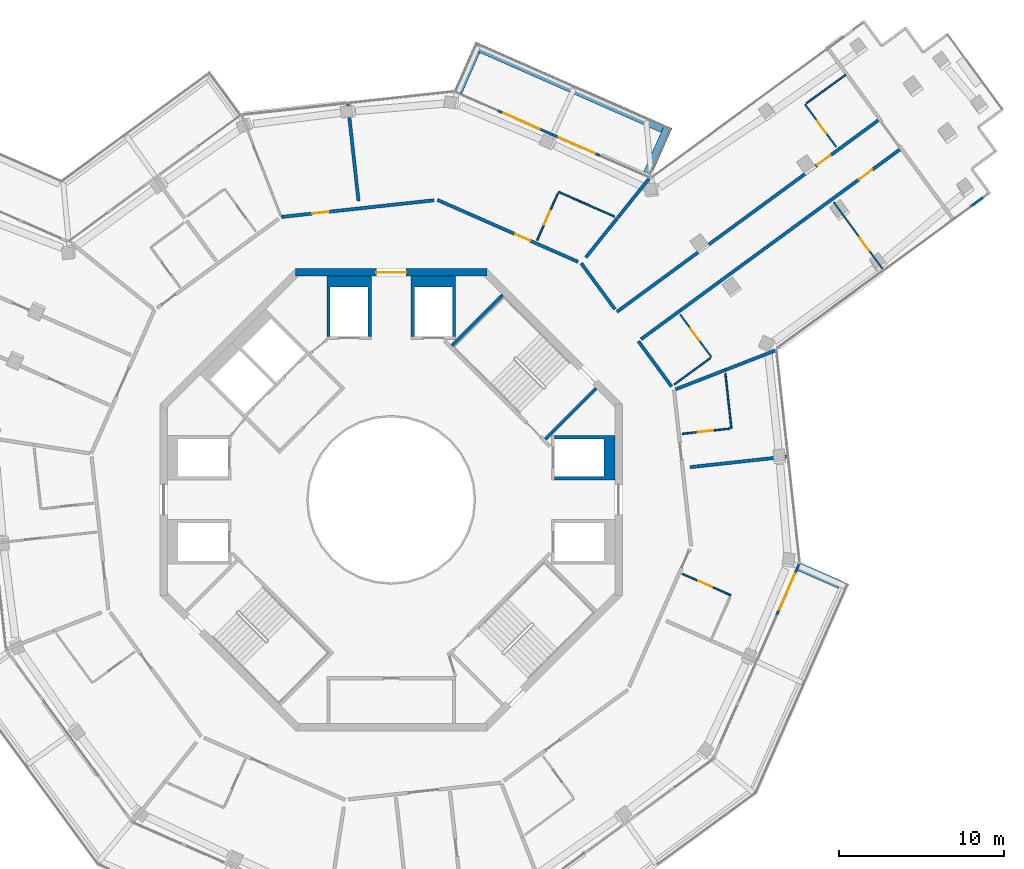
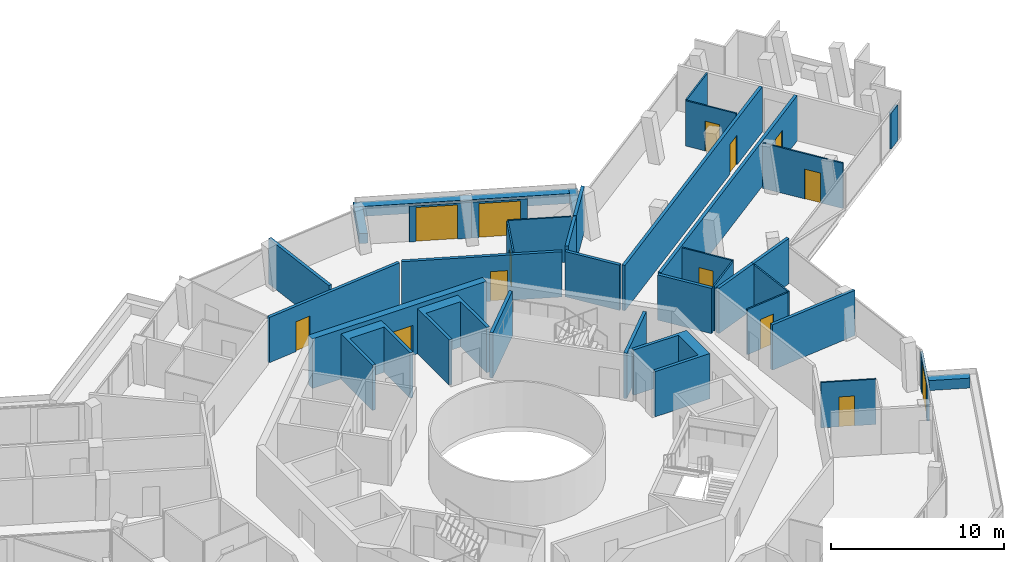
# One storey, part 20 of 24: 36 walls, 14 doors, 14 openings.
"""IFC4 building model written with IfcOpenShell, lengths in metres."""

import ifcopenshell
import ifcopenshell.guid

model = None  # the IFC model being written
_history = None  # IfcOwnerHistory: only IFC2X3 demands one
_inside = {}  # id of a spatial element -> (the spatial element, [elements in it])
_under = {}  # id of a project, library or spatial element -> (it, [spatial elements below it])
_declared = {}  # id of a project -> (the project, [libraries it declares])
_typed = {}  # id of a type object -> (the type object, [elements of that type])
_made_of = {}  # id of a material, layer set ... -> (it, [elements and type objects made of it])


def new_model(schema):
    """Start an empty IFC model of exactly this schema.

    Asked for "IFC4X3", IfcOpenShell would pick the latest addendum, in which some entities
    have other attributes; the version numbers below select the first issue.
    IFC2X3 requires an IfcOwnerHistory on every rooted entity: one is made here for all.
    """
    global model, _history
    if schema == "IFC4X3":
        model = ifcopenshell.file(schema_version=(4, 3, 0, 0))
    else:
        model = ifcopenshell.file(schema=schema)
    _inside.clear()
    _under.clear()
    _declared.clear()
    _typed.clear()
    _made_of.clear()
    _history = None
    if model.schema == "IFC2X3":
        org = make("IfcOrganization", Name="unknown")
        user = make(
            "IfcPersonAndOrganization",
            ThePerson=make("IfcPerson", FamilyName="unknown"),
            TheOrganization=org,
        )
        app = make(
            "IfcApplication",
            ApplicationDeveloper=org,
            Version="unknown",
            ApplicationFullName="unknown",
            ApplicationIdentifier="unknown",
        )
        _history = make(
            "IfcOwnerHistory",
            OwningUser=user,
            OwningApplication=app,
            ChangeAction="ADDED",
            CreationDate=0,
        )
    return model


def make(cls, **values):
    """One entity of the class cls with the attributes given. An attribute that is None is left unset."""
    return model.create_entity(
        cls, **{name: value for name, value in values.items() if value is not None}
    )


def rooted(cls, **values):
    """An entity with a GlobalId (a new one), such as an element, a storey or a relation."""
    return make(cls, GlobalId=ifcopenshell.guid.new(), OwnerHistory=_history, **values)


def si_unit(unit_type, name, prefix=None):
    """IfcSIUnit, for example si_unit("LENGTHUNIT", "METRE", prefix="MILLI")."""
    return make("IfcSIUnit", UnitType=unit_type, Prefix=prefix, Name=name)


def assignment(units):
    """IfcUnitAssignment: the units of a project."""
    return None if units is None else make("IfcUnitAssignment", Units=units)


def point(xyz):
    """IfcCartesianPoint."""
    return None if xyz is None else make("IfcCartesianPoint", Coordinates=xyz)


def direction(xyz):
    """IfcDirection."""
    return None if xyz is None else make("IfcDirection", DirectionRatios=xyz)


def frame(location, z_axis=None, x_axis=None):
    """IfcAxis2Placement3D, a coordinate frame: its origin and axes. An axis left out is left unset."""
    return make(
        "IfcAxis2Placement3D",
        Location=point(location),
        Axis=direction(z_axis),
        RefDirection=direction(x_axis),
    )


def frame_2d(location, x_axis=None):
    """IfcAxis2Placement2D, a coordinate frame in the plane: its origin and x axis."""
    return make(
        "IfcAxis2Placement2D", Location=point(location), RefDirection=direction(x_axis)
    )


def origin():
    """The frame at (0, 0, 0) with its axes left unset."""
    return frame((0.0, 0.0, 0.0))


def place(relative_to, where):
    """IfcLocalPlacement: puts the frame where relative to a parent placement (None: the world)."""
    return make(
        "IfcLocalPlacement", PlacementRelTo=relative_to, RelativePlacement=where
    )


def context(
    kind, dimensions, precision=None, world=None, true_north=None, identifier=None
):
    """IfcGeometricRepresentationContext, for example the 3D "Model" context."""
    return make(
        "IfcGeometricRepresentationContext",
        ContextIdentifier=identifier,
        ContextType=kind,
        CoordinateSpaceDimension=dimensions,
        Precision=precision,
        WorldCoordinateSystem=world,
        TrueNorth=true_north,
    )


def subcontext(parent, identifier, kind, view, scale=None):
    """IfcGeometricRepresentationSubContext, for example "Body" below "Model"."""
    return make(
        "IfcGeometricRepresentationSubContext",
        ContextIdentifier=identifier,
        ContextType=kind,
        ParentContext=parent,
        TargetScale=scale,
        TargetView=view,
    )


def project(units=None, contexts=None):
    """IfcProject with its units and contexts."""
    return rooted(
        "IfcProject",
        Name="project",
        RepresentationContexts=contexts,
        UnitsInContext=assignment(units),
    )


def spatial(cls, under=None, at=None, **own):
    """A site, building, storey or space (cls), placed at a placement, below another one or the project."""
    s = rooted(cls, ObjectPlacement=at, **own)
    if under is not None:
        _under.setdefault(under.id(), (under, []))[1].append(s)
    return s


def polyline(points):
    """IfcPolyline through the points."""
    return make("IfcPolyline", Points=[point(p) for p in points])


def profile(cls, at=None, kind="AREA", **sizes):
    """A parametric profile (cls). Its sizes go by their IFC names, for example OverallWidth=200.0."""
    return make(cls, ProfileType=kind, Position=at, **sizes)


def rectangle(**sizes):
    """IfcRectangleProfileDef."""
    return profile("IfcRectangleProfileDef", **sizes)


def outline(outer, holes=None, kind="AREA"):
    """IfcArbitraryClosedProfileDef: a profile drawn as a closed curve; with holes, ...WithVoids."""
    if holes is None:
        return make("IfcArbitraryClosedProfileDef", ProfileType=kind, OuterCurve=outer)
    return make(
        "IfcArbitraryProfileDefWithVoids",
        ProfileType=kind,
        OuterCurve=outer,
        InnerCurves=holes,
    )


def extrude(swept, where, along, depth):
    """IfcExtrudedAreaSolid: the profile swept, set in the frame where, extruded along a direction by depth."""
    return make(
        "IfcExtrudedAreaSolid",
        SweptArea=swept,
        Position=where,
        ExtrudedDirection=direction(along),
        Depth=depth,
    )


def shape(context_of_items, identifier, shape_type, items):
    """IfcShapeRepresentation: the items that make up one representation, for example the "Body"."""
    return make(
        "IfcShapeRepresentation",
        ContextOfItems=context_of_items,
        RepresentationIdentifier=identifier,
        RepresentationType=shape_type,
        Items=items,
    )


def material(Name=None, Category=None):
    """IfcMaterial."""
    return make("IfcMaterial", Name=Name, Category=Category)


def layer(
    of_material, thickness, ventilated=None, Name=None, Category=None, Priority=None
):
    """IfcMaterialLayer: one layer of a wall or slab, of a material (None: an air gap)."""
    return make(
        "IfcMaterialLayer",
        Material=of_material,
        LayerThickness=thickness,
        IsVentilated=ventilated,
        Name=Name,
        Category=Category,
        Priority=Priority,
    )


def layer_set(layers, Name=None):
    """IfcMaterialLayerSet."""
    return make("IfcMaterialLayerSet", MaterialLayers=layers, LayerSetName=Name)


def made_of(thing, what):
    """Note that an element or type object is made of a material, layer set ...; save() writes the relation."""
    if what is not None:
        _made_of.setdefault(what.id(), (what, []))[1].append(thing)
    return thing


def type_object(cls, material=None, **own):
    """A type object (cls), such as IfcWallType, which elements share."""
    return made_of(rooted(cls, **own), material)


def element(
    cls,
    number,
    at=None,
    inside=None,
    cuts=None,
    type_object=None,
    material=None,
    context=None,
    identifier="Body",
    shape_type=None,
    held_by="IfcProductDefinitionShape",
    body=None,
    shapes=None,
    **own,
):
    """One element of the class cls, such as IfcWall. Its Tag is "e" and its number.

    at: its placement. inside: the storey or other place that contains it. cuts: it is an
    opening in that element (IfcRelVoidsElement). A single representation is given by context,
    identifier, shape_type and body (its items); several are given by shapes. held_by: the class
    of the entity that holds the representations. save() writes the other relations.
    """
    e = rooted(cls, Tag="e%d" % number, ObjectPlacement=at, **own)
    if body is not None:
        shapes = [shape(context, identifier, shape_type, body)]
    if shapes is not None:
        e.Representation = make(held_by, Representations=shapes)
    if inside is not None:
        _inside.setdefault(inside.id(), (inside, []))[1].append(e)
    if cuts is not None:
        rooted(
            "IfcRelVoidsElement", RelatingBuildingElement=cuts, RelatedOpeningElement=e
        )
    if type_object is not None:
        _typed.setdefault(type_object.id(), (type_object, []))[1].append(e)
    return made_of(e, material)


def fill(opening, filler):
    """IfcRelFillsElement: the door or window that sits in an opening."""
    return rooted(
        "IfcRelFillsElement",
        RelatingOpeningElement=opening,
        RelatedBuildingElement=filler,
    )


def aggregate(whole, parts):
    """IfcRelAggregates: a whole, such as a stair, and the parts it consists of."""
    return rooted("IfcRelAggregates", RelatingObject=whole, RelatedObjects=parts)


def save(model, path):
    """Write the relations noted so far, then the file.

    IfcRelAggregates (storeys below a building ...), IfcRelContainedInSpatialStructure (elements
    in a storey), IfcRelDefinesByType, IfcRelAssociatesMaterial and IfcRelDeclares: one each for
    every whole, place, type object, material and project.
    """
    for whole, parts in _under.values():
        aggregate(whole, parts)
    for where, things in _inside.values():
        rooted(
            "IfcRelContainedInSpatialStructure",
            RelatedElements=things,
            RelatingStructure=where,
        )
    for kind, things in _typed.values():
        rooted("IfcRelDefinesByType", RelatedObjects=things, RelatingType=kind)
    for what, things in _made_of.values():
        rooted("IfcRelAssociatesMaterial", RelatedObjects=things, RelatingMaterial=what)
    for by, libraries in _declared.values():
        rooted("IfcRelDeclares", RelatingContext=by, RelatedDefinitions=libraries)
    model.write(path)


model = new_model("IFC4")

# Units and contexts
model_context = context("Model", 3, precision=1e-05, world=origin(), true_north=direction((0.0, 1.0)))
body_context = subcontext(model_context, "Body", "Model", "MODEL_VIEW")
ifc_project = project(units=[si_unit("LENGTHUNIT", "METRE"), si_unit("AREAUNIT", "SQUARE_METRE"), si_unit("VOLUMEUNIT", "CUBIC_METRE"), si_unit("PLANEANGLEUNIT", "RADIAN"), si_unit("MASSUNIT", "GRAM", prefix="KILO")], contexts=[model_context])

# Site, building, storey
site_placement = place(None, origin())
site = spatial("IfcSite", under=ifc_project, at=site_placement, CompositionType="ELEMENT")
building_placement = place(site_placement, origin())
building = spatial("IfcBuilding", under=site, at=building_placement, Name="Verdalira Terraces Hotel", CompositionType="ELEMENT")
storey_placement = place(building_placement, frame((0.0, 0.0, 303.0)))
storey = spatial("IfcBuildingStorey", under=building, at=storey_placement, Name="L75", CompositionType="ELEMENT", Elevation=303.0)

# Walls
ifc_material_1 = material(Name="Concrete C40", Category="concrete")
ifc_layer_1 = layer(ifc_material_1, 0.5)
ifc_layer_set_1 = layer_set([ifc_layer_1], Name="Balcony planter trough with tree")
wall_type_1 = type_object("IfcWallType", Name="Balcony planter trough with tree", PredefinedType="SOLIDWALL", material=ifc_layer_set_1)
wall_1_placement = place(storey_placement, frame((27.19165, -5.141357, 0.0), z_axis=(0.0, 0.0, 1.0), x_axis=(-0.915260342, 0.402862888, 0.0)))
element("IfcWall", 1, at=wall_1_placement, inside=storey, type_object=wall_type_1, Name="Balcony planter", PredefinedType="SOLIDWALL", context=body_context, shape_type="SweptSolid", body=[
    extrude(rectangle(XDim=2.699219, YDim=0.5, at=frame_2d((1.349609, 0.0))), origin(), (0.0, 0.0, 1.0), 0.699951),
])
wall_2_placement = place(storey_placement, frame((15.494385, 19.685059, 0.0), z_axis=(0.0, 0.0, 1.0), x_axis=(0.402963671, 0.915215974, 0.0)))
element("IfcWall", 2, at=wall_2_placement, inside=storey, type_object=wall_type_1, Name="Balcony planter", PredefinedType="SOLIDWALL", context=body_context, shape_type="SweptSolid", body=[
    extrude(rectangle(XDim=3.198975, YDim=0.5, at=frame_2d((1.599609, 0.0))), origin(), (0.0, 0.0, 1.0), 0.699951),
])
wall_3_placement = place(storey_placement, frame((16.453857, 22.484863, 0.0), z_axis=(0.0, 0.0, 1.0), x_axis=(-0.915245899, 0.402895698, 0.0)))
element("IfcWall", 3, at=wall_3_placement, inside=storey, type_object=wall_type_1, Name="Balcony planter", PredefinedType="SOLIDWALL", context=body_context, shape_type="SweptSolid", body=[
    extrude(rectangle(XDim=12.499756, YDim=0.5, at=frame_2d((6.25, 0.0))), origin(), (0.0, 0.0, 1.0), 0.699951),
])
wall_4_placement = place(storey_placement, frame((5.141357, 27.19165, 0.0), z_axis=(0.0, 0.0, 1.0), x_axis=(-0.402862888, -0.915260342, 0.0)))
element("IfcWall", 4, at=wall_4_placement, inside=storey, type_object=wall_type_1, Name="Balcony planter", PredefinedType="SOLIDWALL", context=body_context, shape_type="SweptSolid", body=[
    extrude(rectangle(XDim=2.699219, YDim=0.5, at=frame_2d((1.349609, 0.0))), origin(), (0.0, 0.0, 1.0), 0.699951),
])

# Wall, opening, door
ifc_material_2 = material(Name="Moisture-resistant gypsum board partition")
ifc_layer_2 = layer(ifc_material_2, 0.10009765625)
ifc_layer_set_2 = layer_set([ifc_layer_2], Name="Bathroom partition 100 mm")
wall_type_2 = type_object("IfcWallType", Name="Bathroom partition 100 mm", PredefinedType="PARTITIONING", material=ifc_layer_set_2)
wall_5_placement = place(storey_placement, frame((10.09375, 18.564941, 0.0), z_axis=(0.0, 0.0, 1.0), x_axis=(-0.402920719, -0.915234885, 0.0)))
wall_5 = element("IfcWall", 5, at=wall_5_placement, inside=storey, type_object=wall_type_2, Name="Bathroom partition", PredefinedType="PARTITIONING", context=body_context, shape_type="SweptSolid", body=[
    extrude(rectangle(XDim=3.099854, YDim=0.100098, at=frame_2d((1.549805, 0.0))), origin(), (0.0, 0.0, 1.0), 3.189941),
])
opening_1_placement = place(wall_5_placement, frame((1.149902, 0.0, 0.0)))
opening_1 = element("IfcOpeningElement", 6, at=opening_1_placement, cuts=wall_5, Name="Opening L75-128", PredefinedType="OPENING", context=body_context, shape_type="SweptSolid", body=[
    extrude(rectangle(XDim=0.899902, YDim=2.100098, at=frame_2d((0.449951, 1.050049))), frame((0.0, 0.060059, 0.0), z_axis=(0.0, -1.0, 0.0), x_axis=(1.0, 0.0, 0.0)), (0.0, 0.0, 1.0), 0.120117),
])
ifc_material_3 = material(Name="Timber door", Category="wood")
door_type_1 = type_object("IfcDoorType", Name="Bathroom door 900 x 2100", OperationType="NOTDEFINED", PredefinedType="DOOR", material=ifc_material_3)
door_1_placement = place(opening_1_placement, origin())
door_1 = element("IfcDoor", 7, at=door_1_placement, inside=storey, type_object=door_type_1, Name="Bathroom door 7511", OperationType="SINGLE_SWING_LEFT", OverallHeight=2.10009765625, OverallWidth=0.89990234375, PredefinedType="DOOR", context=body_context, shape_type="SweptSolid", body=[
    extrude(rectangle(XDim=0.899902, YDim=2.100098, at=frame_2d((0.449951, 1.050049))), frame((0.0, 0.024902, 0.0), z_axis=(0.0, -1.0, 0.0), x_axis=(1.0, 0.0, 0.0)), (0.0, 0.0, 1.0), 0.050049),
])
fill(opening_1, door_1)

# Walls
wall_6_placement = place(storey_placement, frame((10.134033, 18.656494, 0.0), z_axis=(0.0, 0.0, 1.0), x_axis=(0.915262542, -0.40285789, 0.0)))
element("IfcWall", 8, at=wall_6_placement, inside=storey, type_object=wall_type_2, Name="Bathroom partition", PredefinedType="PARTITIONING", context=body_context, shape_type="SweptSolid", body=[
    extrude(rectangle(XDim=3.704102, YDim=0.100098, at=frame_2d((1.852051, 0.0))), origin(), (0.0, 0.0, 1.0), 3.189941),
])
wall_7_placement = place(storey_placement, frame((17.144531, 6.986816, 0.0), z_axis=(0.0, 0.0, 1.0), x_axis=(0.806548704, 0.591167648, 0.0)))
element("IfcWall", 9, at=wall_7_placement, inside=storey, type_object=wall_type_2, Name="Bathroom partition", PredefinedType="PARTITIONING", context=body_context, shape_type="SweptSolid", body=[
    extrude(rectangle(XDim=2.699951, YDim=0.100098, at=frame_2d((1.350098, 0.0))), origin(), (0.0, 0.0, 1.0), 3.189941),
])

# Wall, opening, door
wall_8_placement = place(storey_placement, frame((19.402832, 8.64209, 0.0), z_axis=(0.0, 0.0, 1.0), x_axis=(-0.591175126, 0.806543223, 0.0)))
wall_8 = element("IfcWall", 10, at=wall_8_placement, inside=storey, type_object=wall_type_2, Name="Bathroom partition", PredefinedType="PARTITIONING", context=body_context, shape_type="SweptSolid", body=[
    extrude(rectangle(XDim=3.200195, YDim=0.100098, at=frame_2d((1.600098, 0.0))), origin(), (0.0, 0.0, 1.0), 3.189941),
])
opening_2_placement = place(wall_8_placement, frame((1.25, 0.0, 0.0)))
opening_2 = element("IfcOpeningElement", 11, at=opening_2_placement, cuts=wall_8, Name="Opening L75-124", PredefinedType="OPENING", context=body_context, shape_type="SweptSolid", body=[
    extrude(rectangle(XDim=0.899902, YDim=2.100098, at=frame_2d((0.449951, 1.050049))), frame((0.0, 0.060059, 0.0), z_axis=(0.0, -1.0, 0.0), x_axis=(1.0, 0.0, 0.0)), (0.0, 0.0, 1.0), 0.120117),
])
door_2_placement = place(opening_2_placement, origin())
door_2 = element("IfcDoor", 12, at=door_2_placement, inside=storey, type_object=door_type_1, Name="Bathroom door 7509", OperationType="SINGLE_SWING_LEFT", OverallHeight=2.10009765625, OverallWidth=0.89990234375, PredefinedType="DOOR", context=body_context, shape_type="SweptSolid", body=[
    extrude(rectangle(XDim=0.899902, YDim=2.100098, at=frame_2d((0.449951, 1.050049))), frame((0.0, 0.024902, 0.0), z_axis=(0.0, -1.0, 0.0), x_axis=(1.0, 0.0, 0.0)), (0.0, 0.0, 1.0), 0.050049),
])
fill(opening_2, door_2)

wall_9_placement = place(storey_placement, frame((17.628174, 3.998047, 0.0), z_axis=(0.0, 0.0, 1.0), x_axis=(0.99407624, 0.108684995, 0.0)))
wall_9 = element("IfcWall", 13, at=wall_9_placement, inside=storey, type_object=wall_type_2, Name="Bathroom partition", PredefinedType="PARTITIONING", context=body_context, shape_type="SweptSolid", body=[
    extrude(rectangle(XDim=2.899902, YDim=0.100098, at=frame_2d((1.449951, 0.0))), origin(), (0.0, 0.0, 1.0), 3.189941),
])
opening_3_placement = place(wall_9_placement, frame((0.949951, 0.0, 0.0)))
opening_3 = element("IfcOpeningElement", 14, at=opening_3_placement, cuts=wall_9, Name="Opening L75-121", PredefinedType="OPENING", context=body_context, shape_type="SweptSolid", body=[
    extrude(rectangle(XDim=0.899902, YDim=2.100098, at=frame_2d((0.449951, 1.050049))), frame((0.0, 0.060059, 0.0), z_axis=(0.0, -1.0, 0.0), x_axis=(1.0, 0.0, 0.0)), (0.0, 0.0, 1.0), 0.120117),
])
door_3_placement = place(opening_3_placement, origin())
door_3 = element("IfcDoor", 15, at=door_3_placement, inside=storey, type_object=door_type_1, Name="Bathroom door 7508", OperationType="SINGLE_SWING_RIGHT", OverallHeight=2.10009765625, OverallWidth=0.89990234375, PredefinedType="DOOR", context=body_context, shape_type="SweptSolid", body=[
    extrude(rectangle(XDim=0.899902, YDim=2.100098, at=frame_2d((0.449951, 1.050049))), frame((0.0, 0.024902, 0.0), z_axis=(0.0, -1.0, 0.0), x_axis=(1.0, 0.0, 0.0)), (0.0, 0.0, 1.0), 0.050049),
])
fill(opening_3, door_3)

wall_10_placement = place(storey_placement, frame((20.57373, -5.779053, 0.0), z_axis=(0.0, 0.0, 1.0), x_axis=(-0.915237391, 0.402915027, 0.0)))
wall_10 = element("IfcWall", 16, at=wall_10_placement, inside=storey, type_object=wall_type_2, Name="Bathroom partition", PredefinedType="PARTITIONING", context=body_context, shape_type="SweptSolid", body=[
    extrude(rectangle(XDim=3.199951, YDim=0.100098, at=frame_2d((1.600098, 0.0))), origin(), (0.0, 0.0, 1.0), 3.189941),
])
opening_4_placement = place(wall_10_placement, frame((1.25, 0.0, 0.0)))
opening_4 = element("IfcOpeningElement", 17, at=opening_4_placement, cuts=wall_10, Name="Opening L75-119", PredefinedType="OPENING", context=body_context, shape_type="SweptSolid", body=[
    extrude(rectangle(XDim=0.899902, YDim=2.100098, at=frame_2d((0.449951, 1.050049))), frame((0.0, 0.060059, 0.0), z_axis=(0.0, -1.0, 0.0), x_axis=(1.0, 0.0, 0.0)), (0.0, 0.0, 1.0), 0.120117),
])
door_4_placement = place(opening_4_placement, origin())
door_4 = element("IfcDoor", 18, at=door_4_placement, inside=storey, type_object=door_type_1, Name="Bathroom door 7507", OperationType="SINGLE_SWING_LEFT", OverallHeight=2.10009765625, OverallWidth=0.89990234375, PredefinedType="DOOR", context=body_context, shape_type="SweptSolid", body=[
    extrude(rectangle(XDim=0.899902, YDim=2.100098, at=frame_2d((0.449951, 1.050049))), frame((0.0, 0.024902, 0.0), z_axis=(0.0, -1.0, 0.0), x_axis=(1.0, 0.0, 0.0)), (0.0, 0.0, 1.0), 0.050049),
])
fill(opening_4, door_4)

# Wall
wall_11_placement = place(storey_placement, frame((20.246338, 7.654785, 0.0), z_axis=(0.0, 0.0, 1.0), x_axis=(0.108647833, -0.994080303, 0.0)))
element("IfcWall", 19, at=wall_11_placement, inside=storey, type_object=wall_type_2, Name="Bathroom partition", PredefinedType="PARTITIONING", context=body_context, shape_type="SweptSolid", body=[
    extrude(rectangle(XDim=3.350342, YDim=0.100098, at=frame_2d((1.675293, 0.0))), origin(), (0.0, 0.0, 1.0), 3.189941),
])

# Wall, opening, door
wall_12_placement = place(storey_placement, frame((25.071777, 23.956055, 0.0), z_axis=(0.0, 0.0, 1.0), x_axis=(0.591125495, -0.806579599, 0.0)))
wall_12 = element("IfcWall", 20, at=wall_12_placement, inside=storey, type_object=wall_type_2, Name="Bathroom partition", PredefinedType="PARTITIONING", context=body_context, shape_type="SweptSolid", body=[
    extrude(rectangle(XDim=3.199951, YDim=0.100098, at=frame_2d((1.600098, 0.0))), origin(), (0.0, 0.0, 1.0), 3.189941),
])
opening_5_placement = place(wall_12_placement, frame((1.25, 0.0, 0.0)))
opening_5 = element("IfcOpeningElement", 21, at=opening_5_placement, cuts=wall_12, Name="Opening L75-126", PredefinedType="OPENING", context=body_context, shape_type="SweptSolid", body=[
    extrude(rectangle(XDim=0.899902, YDim=2.100098, at=frame_2d((0.449951, 1.050049))), frame((0.0, 0.060059, 0.0), z_axis=(0.0, -1.0, 0.0), x_axis=(1.0, 0.0, 0.0)), (0.0, 0.0, 1.0), 0.120117),
])
door_5_placement = place(opening_5_placement, origin())
door_5 = element("IfcDoor", 22, at=door_5_placement, inside=storey, type_object=door_type_1, Name="Bathroom door 7510", OperationType="SINGLE_SWING_LEFT", OverallHeight=2.10009765625, OverallWidth=0.89990234375, PredefinedType="DOOR", context=body_context, shape_type="SweptSolid", body=[
    extrude(rectangle(XDim=0.899902, YDim=2.100098, at=frame_2d((0.449951, 1.050049))), frame((0.0, 0.024902, 0.0), z_axis=(0.0, -1.0, 0.0), x_axis=(1.0, 0.0, 0.0)), (0.0, 0.0, 1.0), 0.050049),
])
fill(opening_5, door_5)

# Wall
wall_13_placement = place(storey_placement, frame((25.152344, 24.015137, 0.0), z_axis=(0.0, 0.0, 1.0), x_axis=(0.806558087, 0.591154846, 0.0)))
element("IfcWall", 23, at=wall_13_placement, inside=storey, type_object=wall_type_2, Name="Bathroom partition", PredefinedType="PARTITIONING", context=body_context, shape_type="SweptSolid", body=[
    extrude(rectangle(XDim=2.940186, YDim=0.100098, at=frame_2d((1.470215, 0.0))), origin(), (0.0, 0.0, 1.0), 3.189941),
])

# Wall, opening, door
wall_14_placement = place(storey_placement, frame((29.790039, 13.961914, 0.0), z_axis=(0.0, 0.0, 1.0), x_axis=(-0.591168727, 0.806547913, 0.0)))
wall_14 = element("IfcWall", 24, at=wall_14_placement, inside=storey, type_object=wall_type_2, Name="Bathroom partition", PredefinedType="PARTITIONING", context=body_context, shape_type="SweptSolid", body=[
    extrude(rectangle(XDim=5.049805, YDim=0.100098, at=frame_2d((2.524902, 0.0))), origin(), (0.0, 0.0, 1.0), 3.189941),
])
opening_6_placement = place(wall_14_placement, frame((1.399902, 0.0, 0.0)))
opening_6 = element("IfcOpeningElement", 25, at=opening_6_placement, cuts=wall_14, Name="Opening L75-123", PredefinedType="OPENING", context=body_context, shape_type="SweptSolid", body=[
    extrude(rectangle(XDim=1.0, YDim=2.100098, at=frame_2d((0.5, 1.050049))), frame((0.0, 0.060059, 0.0), z_axis=(0.0, -1.0, 0.0), x_axis=(1.0, 0.0, 0.0)), (0.0, 0.0, 1.0), 0.120117),
])
ifc_material_4 = material(Name="Timber door", Category="wood")
door_type_2 = type_object("IfcDoorType", Name="Suite internal door 1000 x 2100", OperationType="NOTDEFINED", PredefinedType="DOOR", material=ifc_material_4)
door_6_placement = place(opening_6_placement, origin())
door_6 = element("IfcDoor", 26, at=door_6_placement, inside=storey, type_object=door_type_2, Name="Suite internal door 7509", OperationType="SINGLE_SWING_LEFT", OverallHeight=2.10009765625, OverallWidth=1.0, PredefinedType="DOOR", context=body_context, shape_type="SweptSolid", body=[
    extrude(rectangle(XDim=1.0, YDim=2.100098, at=frame_2d((0.5, 1.050049))), frame((0.0, 0.024902, 0.0), z_axis=(0.0, -1.0, 0.0), x_axis=(1.0, 0.0, 0.0)), (0.0, 0.0, 1.0), 0.050049),
])
fill(opening_6, door_6)

# Walls
ifc_material_5 = material(Name="Concrete C50", Category="concrete")
ifc_layer_3 = layer(ifc_material_5, 0.199951171875)
ifc_layer_set_3 = layer_set([ifc_layer_3], Name="Core RC wall 200 C50")
wall_type_3 = type_object("IfcWallType", Name="Core RC wall 200 C50", PredefinedType="SOLIDWALL", material=ifc_layer_set_3)
wall_15_placement = place(storey_placement, origin())
element("IfcWall", 27, at=wall_15_placement, inside=storey, type_object=wall_type_3, Name="L75 shaft wall E2", PredefinedType="SOLIDWALL", context=body_context, shape_type="SweptSolid", body=[
    extrude(outline(polyline([(13.550049, 3.899902), (13.550049, 1.199951), (9.899902, 1.199951), (9.899902, 1.399902), (12.899902, 1.399902), (12.899902, 3.699951), (9.899902, 3.699951), (9.899902, 3.899902), (13.550049, 3.899902)])), origin(), (0.0, 0.0, 1.0), 3.189941),
])
wall_16_placement = place(storey_placement, origin())
element("IfcWall", 28, at=wall_16_placement, inside=storey, type_object=wall_type_3, Name="L75 shaft wall N1", PredefinedType="SOLIDWALL", context=body_context, shape_type="SweptSolid", body=[
    extrude(outline(polyline([(3.899902, 9.899902), (3.699951, 9.899902), (3.699951, 12.899902), (1.399902, 12.899902), (1.399902, 9.899902), (1.199951, 9.899902), (1.199951, 13.550049), (3.899902, 13.550049), (3.899902, 9.899902)])), origin(), (0.0, 0.0, 1.0), 3.189941),
])
wall_17_placement = place(storey_placement, origin())
element("IfcWall", 29, at=wall_17_placement, inside=storey, type_object=wall_type_3, Name="L75 shaft wall N2", PredefinedType="SOLIDWALL", context=body_context, shape_type="SweptSolid", body=[
    extrude(outline(polyline([(-3.899902, 13.550049), (-1.199951, 13.550049), (-1.199951, 9.899902), (-1.399902, 9.899902), (-1.399902, 12.899902), (-3.699951, 12.899902), (-3.699951, 9.899902), (-3.899902, 9.899902), (-3.899902, 13.550049)])), origin(), (0.0, 0.0, 1.0), 3.189941),
])
for number, where, z_axis, x_axis, name in (
    (30, (9.33374, 3.677002, 0.0), (0.0, 0.0, 1.0), (0.707106781, 0.707106781, 0.0), "L75 stair ST1 end wall 1"),
    (31, (3.677002, 9.33374, 0.0), (0.0, 0.0, 1.0), (0.707106781, 0.707106781, 0.0), "L75 stair ST1 end wall 2"),
):
    element("IfcWall", number, at=place(storey_placement, frame(where, z_axis=z_axis, x_axis=x_axis)), inside=storey, type_object=wall_type_3, Name=name, PredefinedType="SOLIDWALL", context=body_context, shape_type="SweptSolid", body=[
        extrude(rectangle(XDim=4.350098, YDim=0.199951, at=frame_2d((2.175049, 0.0))), origin(), (0.0, 0.0, 1.0), 3.189941),
    ])

# Wall, opening, door
ifc_material_6 = material(Name="Concrete C50", Category="concrete")
ifc_layer_4 = layer(ifc_material_6, 0.449951171875)
ifc_layer_set_4 = layer_set([ifc_layer_4], Name="Core wall 450 C50")
wall_type_4 = type_object("IfcWallType", Name="Core wall 450 C50", PredefinedType="SHEAR", material=ifc_layer_set_4)
wall_18_placement = place(storey_placement, frame((5.799072, 13.774902, 0.0), z_axis=(0.0, 0.0, 1.0), x_axis=(-1.0, 0.0, 0.0)))
wall_18 = element("IfcWall", 32, at=wall_18_placement, inside=storey, type_object=wall_type_4, Name="Core wall CW-L75-3", PredefinedType="SHEAR", context=body_context, shape_type="SweptSolid", body=[
    extrude(rectangle(XDim=11.598145, YDim=0.449951, at=frame_2d((5.799072, 0.0))), origin(), (0.0, 0.0, 1.0), 3.5),
])
opening_7_placement = place(wall_18_placement, frame((4.898926, 0.0, 0.0)))
opening_7 = element("IfcOpeningElement", 33, at=opening_7_placement, cuts=wall_18, Name="Opening L75-814", PredefinedType="OPENING", context=body_context, shape_type="SweptSolid", body=[
    extrude(rectangle(XDim=1.800049, YDim=2.100098, at=frame_2d((0.899902, 1.050049))), frame((0.0, 0.234863, 0.0), z_axis=(0.0, -1.0, 0.0), x_axis=(1.0, 0.0, 0.0)), (0.0, 0.0, 1.0), 0.469971),
])
ifc_material_7 = material(Name="Steel fire door", Category="steel")
door_type_3 = type_object("IfcDoorType", Name="Core entry door pair 1800 x 2100", OperationType="NOTDEFINED", PredefinedType="DOOR", material=ifc_material_7)
door_7_placement = place(opening_7_placement, origin())
door_7 = element("IfcDoor", 34, at=door_7_placement, inside=storey, type_object=door_type_3, Name="Core entry door L75 2", OperationType="DOUBLE_DOOR_SINGLE_SWING", OverallHeight=2.10009765625, OverallWidth=1.800048828125, PredefinedType="DOOR", context=body_context, shape_type="SweptSolid", body=[
    extrude(rectangle(XDim=1.800049, YDim=2.100098, at=frame_2d((0.899902, 1.050049))), frame((0.0, 0.024902, 0.0), z_axis=(0.0, -1.0, 0.0), x_axis=(1.0, 0.0, 0.0)), (0.0, 0.0, 1.0), 0.050049),
])
fill(opening_7, door_7)

# Walls
ifc_material_8 = material(Name="Fire-rated gypsum board wall")
ifc_layer_5 = layer(ifc_material_8, 0.199951171875)
ifc_layer_set_5 = layer_set([ifc_layer_5], Name="Demising wall 200 mm")
wall_type_5 = type_object("IfcWallType", Name="Demising wall 200 mm", PredefinedType="SOLIDWALL", material=ifc_layer_set_5)
wall_19_placement = place(storey_placement, frame((-1.97876, 18.097656, 0.0), z_axis=(0.0, 0.0, 1.0), x_axis=(-0.108697214, 0.994074904, 0.0)))
element("IfcWall", 35, at=wall_19_placement, inside=storey, type_object=wall_type_5, Name="Demising wall", PredefinedType="SOLIDWALL", context=body_context, shape_type="SweptSolid", body=[
    extrude(rectangle(XDim=5.902588, YDim=0.199951, at=frame_2d((2.951172, 0.0))), origin(), (0.0, 0.0, 1.0), 3.189941),
])
wall_20_placement = place(storey_placement, frame((11.790039, 14.684814, 0.0), z_axis=(0.0, 0.0, 1.0), x_axis=(0.626049846, 0.77978304, 0.0)))
element("IfcWall", 36, at=wall_20_placement, inside=storey, type_object=wall_type_5, Name="Demising wall", PredefinedType="SOLIDWALL", context=body_context, shape_type="SweptSolid", body=[
    extrude(rectangle(XDim=3.074463, YDim=0.199951, at=frame_2d((1.537109, 0.0))), origin(), (0.0, 0.0, 1.0), 3.189941),
])
wall_21_placement = place(storey_placement, frame((13.743652, 17.118164, 0.0), z_axis=(0.0, 0.0, 1.0), x_axis=(0.626058521, 0.779776076, 0.0)))
element("IfcWall", 37, at=wall_21_placement, inside=storey, type_object=wall_type_5, Name="Demising wall", PredefinedType="SOLIDWALL", context=body_context, shape_type="SweptSolid", body=[
    extrude(rectangle(XDim=3.01123, YDim=0.199951, at=frame_2d((1.505615, 0.0))), origin(), (0.0, 0.0, 1.0), 3.189941),
])
wall_22_placement = place(storey_placement, frame((17.232422, 6.697998, 0.0), z_axis=(0.0, 0.0, 1.0), x_axis=(0.932083167, 0.362244352, 0.0)))
element("IfcWall", 38, at=wall_22_placement, inside=storey, type_object=wall_type_5, Name="Demising wall", PredefinedType="SOLIDWALL", context=body_context, shape_type="SweptSolid", body=[
    extrude(rectangle(XDim=3.209473, YDim=0.199951, at=frame_2d((1.604736, 0.0))), origin(), (0.0, 0.0, 1.0), 3.189941),
])
wall_23_placement = place(storey_placement, frame((18.097656, 1.97876, 0.0), z_axis=(0.0, 0.0, 1.0), x_axis=(0.994074904, 0.108697214, 0.0)))
element("IfcWall", 39, at=wall_23_placement, inside=storey, type_object=wall_type_5, Name="Demising wall", PredefinedType="SOLIDWALL", context=body_context, shape_type="SweptSolid", body=[
    extrude(rectangle(XDim=5.902588, YDim=0.199951, at=frame_2d((2.951172, 0.0))), origin(), (0.0, 0.0, 1.0), 3.189941),
])
wall_24_placement = place(storey_placement, frame((20.223877, 7.860596, 0.0), z_axis=(0.0, 0.0, 1.0), x_axis=(0.932066378, 0.362287549, 0.0)))
element("IfcWall", 40, at=wall_24_placement, inside=storey, type_object=wall_type_5, Name="Demising wall", PredefinedType="SOLIDWALL", context=body_context, shape_type="SweptSolid", body=[
    extrude(rectangle(XDim=3.266357, YDim=0.199951, at=frame_2d((1.633301, 0.0))), origin(), (0.0, 0.0, 1.0), 3.189941),
])

# Wall, opening, door
ifc_material_9 = material(Name="Fire-rated gypsum board wall")
ifc_layer_6 = layer(ifc_material_9, 0.199951171875)
ifc_layer_set_6 = layer_set([ifc_layer_6], Name="Guest corridor wall 200 mm")
wall_type_6 = type_object("IfcWallType", Name="Guest corridor wall 200 mm", PredefinedType="SOLIDWALL", material=ifc_layer_set_6)
wall_25_placement = place(storey_placement, frame((-6.6604, 17.135986, 0.0), z_axis=(0.0, 0.0, 1.0), x_axis=(0.994077134, 0.108676822, 0.0)))
wall_25 = element("IfcWall", 41, at=wall_25_placement, inside=storey, type_object=wall_type_6, Name="Guest corridor wall", PredefinedType="SOLIDWALL", context=body_context, shape_type="SweptSolid", body=[
    extrude(rectangle(XDim=9.316162, YDim=0.199951, at=frame_2d((4.658203, 0.0))), origin(), (0.0, 0.0, 1.0), 3.189941),
])
opening_8_placement = place(wall_25_placement, frame((1.899902, 0.0, 0.0)))
opening_8 = element("IfcOpeningElement", 42, at=opening_8_placement, cuts=wall_25, Name="Opening L75-129", PredefinedType="OPENING", context=body_context, shape_type="SweptSolid", body=[
    extrude(rectangle(XDim=1.0, YDim=2.100098, at=frame_2d((0.5, 1.050049))), frame((0.0, 0.109863, 0.0), z_axis=(0.0, -1.0, 0.0), x_axis=(1.0, 0.0, 0.0)), (0.0, 0.0, 1.0), 0.219971),
])
ifc_material_10 = material(Name="Timber fire door", Category="wood")
door_type_4 = type_object("IfcDoorType", Name="Guest entry door 1000 x 2100", OperationType="NOTDEFINED", PredefinedType="DOOR", material=ifc_material_10)
door_8_placement = place(opening_8_placement, origin())
door_8 = element("IfcDoor", 43, at=door_8_placement, inside=storey, type_object=door_type_4, Name="Guest entry door 7512", OperationType="SINGLE_SWING_LEFT", OverallHeight=2.10009765625, OverallWidth=1.0, PredefinedType="DOOR", context=body_context, shape_type="SweptSolid", body=[
    extrude(rectangle(XDim=1.0, YDim=2.100098, at=frame_2d((0.5, 1.050049))), frame((0.0, 0.024902, 0.0), z_axis=(0.0, -1.0, 0.0), x_axis=(1.0, 0.0, 0.0)), (0.0, 0.0, 1.0), 0.050049),
])
fill(opening_8, door_8)

wall_26_placement = place(storey_placement, frame((2.800293, 18.170166, 0.0), z_axis=(0.0, 0.0, 1.0), x_axis=(0.915237733, -0.402914249, 0.0)))
wall_26 = element("IfcWall", 44, at=wall_26_placement, inside=storey, type_object=wall_type_6, Name="Guest corridor wall", PredefinedType="SOLIDWALL", context=body_context, shape_type="SweptSolid", body=[
    extrude(rectangle(XDim=9.316162, YDim=0.199951, at=frame_2d((4.658203, 0.0))), origin(), (0.0, 0.0, 1.0), 3.189941),
])
opening_9_placement = place(wall_26_placement, frame((5.149902, 0.0, 0.0)))
opening_9 = element("IfcOpeningElement", 45, at=opening_9_placement, cuts=wall_26, Name="Opening L75-127", PredefinedType="OPENING", context=body_context, shape_type="SweptSolid", body=[
    extrude(rectangle(XDim=1.0, YDim=2.100098, at=frame_2d((0.5, 1.050049))), frame((0.0, 0.109863, 0.0), z_axis=(0.0, -1.0, 0.0), x_axis=(1.0, 0.0, 0.0)), (0.0, 0.0, 1.0), 0.219971),
])
door_9_placement = place(opening_9_placement, origin())
door_9 = element("IfcDoor", 46, at=door_9_placement, inside=storey, type_object=door_type_4, Name="Guest entry door 7511", OperationType="SINGLE_SWING_LEFT", OverallHeight=2.10009765625, OverallWidth=1.0, PredefinedType="DOOR", context=body_context, shape_type="SweptSolid", body=[
    extrude(rectangle(XDim=1.0, YDim=2.100098, at=frame_2d((0.5, 1.050049))), frame((0.0, 0.024902, 0.0), z_axis=(0.0, -1.0, 0.0), x_axis=(1.0, 0.0, 0.0)), (0.0, 0.0, 1.0), 0.050049),
])
fill(opening_9, door_9)

# Walls
wall_27_placement = place(storey_placement, frame((13.554443, 11.546631, 0.0), z_axis=(0.0, 0.0, 1.0), x_axis=(-0.591164714, 0.806550855, 0.0)))
element("IfcWall", 47, at=wall_27_placement, inside=storey, type_object=wall_type_6, Name="Guest corridor wall", PredefinedType="SOLIDWALL", context=body_context, shape_type="SweptSolid", body=[
    extrude(rectangle(XDim=3.458252, YDim=0.199951, at=frame_2d((1.729004, 0.0))), origin(), (0.0, 0.0, 1.0), 3.189941),
])
wall_28_placement = place(storey_placement, frame((16.983154, 6.868652, 0.0), z_axis=(0.0, 0.0, 1.0), x_axis=(-0.59115197, 0.806560195, 0.0)))
element("IfcWall", 48, at=wall_28_placement, inside=storey, type_object=wall_type_6, Name="Guest corridor wall", PredefinedType="SOLIDWALL", context=body_context, shape_type="SweptSolid", body=[
    extrude(rectangle(XDim=3.400146, YDim=0.199951, at=frame_2d((1.700195, 0.0))), origin(), (0.0, 0.0, 1.0), 3.189941),
])

# Wall, opening, door
wall_29_placement = place(storey_placement, frame((13.672607, 11.385498, 0.0), z_axis=(0.0, 0.0, 1.0), x_axis=(0.806549823, 0.591166122, 0.0)))
wall_29 = element("IfcWall", 49, at=wall_29_placement, inside=storey, type_object=wall_type_6, Name="Guest corridor wall", PredefinedType="SOLIDWALL", context=body_context, shape_type="SweptSolid", body=[
    extrude(rectangle(XDim=19.665283, YDim=0.199951, at=frame_2d((9.83252, 0.0))), origin(), (0.0, 0.0, 1.0), 3.189941),
])
opening_10_placement = place(wall_29_placement, frame((15.050049, 0.0, 0.0)))
opening_10 = element("IfcOpeningElement", 50, at=opening_10_placement, cuts=wall_29, Name="Opening L75-125", PredefinedType="OPENING", context=body_context, shape_type="SweptSolid", body=[
    extrude(rectangle(XDim=1.0, YDim=2.100098, at=frame_2d((0.5, 1.050049))), frame((0.0, 0.109863, 0.0), z_axis=(0.0, -1.0, 0.0), x_axis=(1.0, 0.0, 0.0)), (0.0, 0.0, 1.0), 0.219971),
])
door_10_placement = place(opening_10_placement, origin())
door_10 = element("IfcDoor", 51, at=door_10_placement, inside=storey, type_object=door_type_4, Name="Guest entry door 7510", OperationType="SINGLE_SWING_LEFT", OverallHeight=2.10009765625, OverallWidth=1.0, PredefinedType="DOOR", context=body_context, shape_type="SweptSolid", body=[
    extrude(rectangle(XDim=1.0, YDim=2.100098, at=frame_2d((0.5, 1.050049))), frame((0.0, 0.024902, 0.0), z_axis=(0.0, -1.0, 0.0), x_axis=(1.0, 0.0, 0.0)), (0.0, 0.0, 1.0), 0.050049),
])
fill(opening_10, door_10)

wall_30_placement = place(storey_placement, frame((30.834229, 21.236572, 0.0), z_axis=(0.0, 0.0, 1.0), x_axis=(-0.806546926, -0.591170074, 0.0)))
wall_30 = element("IfcWall", 52, at=wall_30_placement, inside=storey, type_object=wall_type_6, Name="Guest corridor wall", PredefinedType="SOLIDWALL", context=body_context, shape_type="SweptSolid", body=[
    extrude(rectangle(XDim=19.465332, YDim=0.199951, at=frame_2d((9.732666, 0.0))), origin(), (0.0, 0.0, 1.0), 3.189941),
])
opening_11_placement = place(wall_30_placement, frame((2.100098, 0.0, 0.0)))
opening_11 = element("IfcOpeningElement", 53, at=opening_11_placement, cuts=wall_30, Name="Opening L75-122", PredefinedType="OPENING", context=body_context, shape_type="SweptSolid", body=[
    extrude(rectangle(XDim=1.0, YDim=2.100098, at=frame_2d((0.5, 1.050049))), frame((0.0, 0.109863, 0.0), z_axis=(0.0, -1.0, 0.0), x_axis=(1.0, 0.0, 0.0)), (0.0, 0.0, 1.0), 0.219971),
])
door_11_placement = place(opening_11_placement, origin())
door_11 = element("IfcDoor", 54, at=door_11_placement, inside=storey, type_object=door_type_4, Name="Guest entry door 7509", OperationType="SINGLE_SWING_LEFT", OverallHeight=2.10009765625, OverallWidth=1.0, PredefinedType="DOOR", context=body_context, shape_type="SweptSolid", body=[
    extrude(rectangle(XDim=1.0, YDim=2.100098, at=frame_2d((0.5, 1.050049))), frame((0.0, 0.024902, 0.0), z_axis=(0.0, -1.0, 0.0), x_axis=(1.0, 0.0, 0.0)), (0.0, 0.0, 1.0), 0.050049),
])
fill(opening_11, door_11)

# Wall
ifc_material_11 = material(Name="Terracotta cladding", Category="masonry")
ifc_layer_7 = layer(ifc_material_11, 0.14990234375)
ifc_layer_set_7 = layer_set([ifc_layer_7], Name="Terracotta column pier 150")
wall_type_7 = type_object("IfcWallType", Name="Terracotta column pier 150", PredefinedType="SOLIDWALL", material=ifc_layer_set_7)
wall_31_placement = place(storey_placement, frame((35.103271, 17.763428, 0.0), z_axis=(0.0, 0.0, 1.0), x_axis=(0.806627074, 0.591060711, 0.0)))
element("IfcWall", 55, at=wall_31_placement, inside=storey, type_object=wall_type_7, Name="Terracotta column pier", PredefinedType="SOLIDWALL", context=body_context, shape_type="SweptSolid", body=[
    extrude(rectangle(XDim=0.943359, YDim=0.149902, at=frame_2d((0.47168, 0.0))), origin(), (0.0, 0.0, 1.0), 2.524902),
])

# Wall, opening, door
ifc_material_12 = material(Name="Terracotta cladding", Category="masonry")
ifc_layer_8 = layer(ifc_material_12, 0.14990234375)
ifc_layer_set_8 = layer_set([ifc_layer_8], Name="Terracotta door pier 150")
wall_type_8 = type_object("IfcWallType", Name="Terracotta door pier 150", PredefinedType="SOLIDWALL", material=ifc_layer_set_8)
wall_32_placement = place(storey_placement, frame((23.331543, -7.022461, 0.0), z_axis=(0.0, 0.0, 1.0), x_axis=(0.402903355, 0.915242529, 0.0)))
wall_32 = element("IfcWall", 56, at=wall_32_placement, inside=storey, type_object=wall_type_8, Name="Terracotta door pier", PredefinedType="SOLIDWALL", context=body_context, shape_type="SweptSolid", body=[
    extrude(rectangle(XDim=3.426758, YDim=0.149902, at=frame_2d((1.713379, 0.0))), origin(), (0.0, 0.0, 1.0), 2.524902),
])
opening_12_placement = place(wall_32_placement, frame((0.399902, 0.0, 0.0)))
opening_12 = element("IfcOpeningElement", 57, at=opening_12_placement, cuts=wall_32, Name="Opening L75-B11", PredefinedType="OPENING", context=body_context, shape_type="SweptSolid", body=[
    extrude(rectangle(XDim=2.399902, YDim=2.399902, at=frame_2d((1.199951, 1.199951))), frame((0.0, 0.084961, 0.0), z_axis=(0.0, -1.0, 0.0), x_axis=(1.0, 0.0, 0.0)), (0.0, 0.0, 1.0), 0.169922),
])
ifc_material_13 = material(Name="Clear glass", Category="glass")
door_type_5 = type_object("IfcDoorType", Name="Balcony sliding door 2400x2400", OperationType="NOTDEFINED", PredefinedType="DOOR", material=ifc_material_13)
door_12_placement = place(opening_12_placement, origin())
door_12 = element("IfcDoor", 58, at=door_12_placement, inside=storey, type_object=door_type_5, Name="Balcony sliding door", OperationType="SLIDING_TO_RIGHT", OverallHeight=2.39990234375, OverallWidth=2.39990234375, PredefinedType="DOOR", context=body_context, shape_type="SweptSolid", body=[
    extrude(rectangle(XDim=2.399902, YDim=2.399902, at=frame_2d((1.199951, 1.199951))), frame((0.0, 0.024902, 0.0), z_axis=(0.0, -1.0, 0.0), x_axis=(1.0, 0.0, 0.0)), (0.0, 0.0, 1.0), 0.050049),
])
fill(opening_12, door_12)

wall_33_placement = place(storey_placement, frame((12.718262, 20.824219, 0.0), z_axis=(0.0, 0.0, 1.0), x_axis=(-0.915258533, 0.402866999, 0.0)))
wall_33 = element("IfcWall", 59, at=wall_33_placement, inside=storey, type_object=wall_type_8, Name="Terracotta door pier", PredefinedType="SOLIDWALL", context=body_context, shape_type="SweptSolid", body=[
    extrude(rectangle(XDim=3.25, YDim=0.149902, at=frame_2d((1.625, 0.0))), origin(), (0.0, 0.0, 1.0), 2.524902),
])
opening_13_placement = place(wall_33_placement, frame((0.399902, 0.0, 0.0)))
opening_13 = element("IfcOpeningElement", 60, at=opening_13_placement, cuts=wall_33, Name="Opening L75-B12", PredefinedType="OPENING", context=body_context, shape_type="SweptSolid", body=[
    extrude(rectangle(XDim=2.399902, YDim=2.399902, at=frame_2d((1.199951, 1.199951))), frame((0.0, 0.084961, 0.0), z_axis=(0.0, -1.0, 0.0), x_axis=(1.0, 0.0, 0.0)), (0.0, 0.0, 1.0), 0.169922),
])
door_13_placement = place(opening_13_placement, origin())
door_13 = element("IfcDoor", 61, at=door_13_placement, inside=storey, type_object=door_type_5, Name="Balcony sliding door", OperationType="SLIDING_TO_RIGHT", OverallHeight=2.39990234375, OverallWidth=2.39990234375, PredefinedType="DOOR", context=body_context, shape_type="SweptSolid", body=[
    extrude(rectangle(XDim=2.399902, YDim=2.399902, at=frame_2d((1.199951, 1.199951))), frame((0.0, 0.024902, 0.0), z_axis=(0.0, -1.0, 0.0), x_axis=(1.0, 0.0, 0.0)), (0.0, 0.0, 1.0), 0.050049),
])
fill(opening_13, door_13)

wall_34_placement = place(storey_placement, frame((9.743652, 22.133545, 0.0), z_axis=(0.0, 0.0, 1.0), x_axis=(-0.915233272, 0.402924383, 0.0)))
wall_34 = element("IfcWall", 62, at=wall_34_placement, inside=storey, type_object=wall_type_8, Name="Terracotta door pier", PredefinedType="SOLIDWALL", context=body_context, shape_type="SweptSolid", body=[
    extrude(rectangle(XDim=3.611328, YDim=0.149902, at=frame_2d((1.805664, 0.0))), origin(), (0.0, 0.0, 1.0), 2.524902),
])
opening_14_placement = place(wall_34_placement, frame((0.811279, 0.0, 0.0)))
opening_14 = element("IfcOpeningElement", 63, at=opening_14_placement, cuts=wall_34, Name="Opening L75-B13", PredefinedType="OPENING", context=body_context, shape_type="SweptSolid", body=[
    extrude(rectangle(XDim=2.399902, YDim=2.399902, at=frame_2d((1.199951, 1.199951))), frame((0.0, 0.084961, 0.0), z_axis=(0.0, -1.0, 0.0), x_axis=(1.0, 0.0, 0.0)), (0.0, 0.0, 1.0), 0.169922),
])
door_14_placement = place(opening_14_placement, origin())
door_14 = element("IfcDoor", 64, at=door_14_placement, inside=storey, type_object=door_type_5, Name="Balcony sliding door", OperationType="SLIDING_TO_LEFT", OverallHeight=2.39990234375, OverallWidth=2.39990234375, PredefinedType="DOOR", context=body_context, shape_type="SweptSolid", body=[
    extrude(rectangle(XDim=2.399902, YDim=2.399902, at=frame_2d((1.199951, 1.199951))), frame((0.0, 0.024902, 0.0), z_axis=(0.0, -1.0, 0.0), x_axis=(1.0, 0.0, 0.0)), (0.0, 0.0, 1.0), 0.050049),
])
fill(opening_14, door_14)

save(model, "model.ifc")
